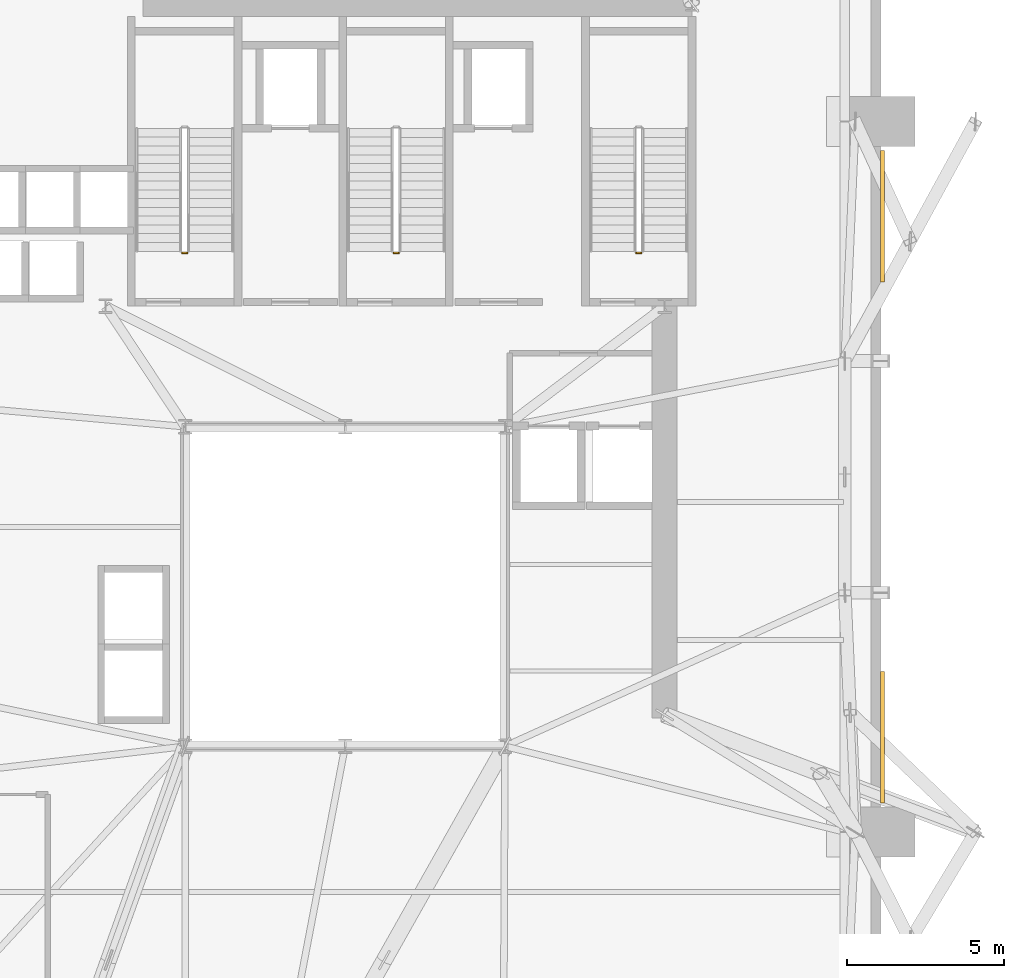
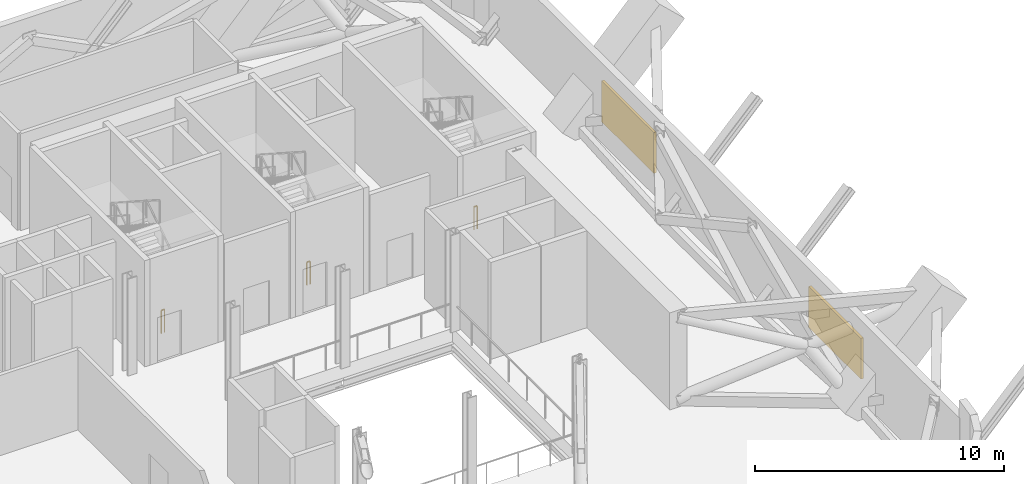
# One storey, part 11 of 12: 3 railings, 2 shading devices.
"""IFC4 building model written with IfcOpenShell, lengths in metres."""

from ifc_helpers import new_model, si_unit, direction, frame, origin, origin_2d, place, context, subcontext, project, spatial, rectangle, extrude, source, transform, mapped, material, layer, layer_set, type_object, element, save


model = new_model("IFC4")

# Units and contexts
model_context = context("Model", 3, precision=1e-05, world=origin(), true_north=direction((0.0, 1.0)))
body_context = subcontext(model_context, "Body", "Model", "MODEL_VIEW")
ifc_project = project(units=[si_unit("LENGTHUNIT", "METRE"), si_unit("AREAUNIT", "SQUARE_METRE"), si_unit("VOLUMEUNIT", "CUBIC_METRE"), si_unit("PLANEANGLEUNIT", "RADIAN"), si_unit("MASSUNIT", "GRAM", prefix="KILO")], contexts=[model_context])

# Site, building, storey
site_placement = place(None, origin())
site = spatial("IfcSite", under=ifc_project, at=site_placement, CompositionType="ELEMENT")
building_placement = place(site_placement, origin())
building = spatial("IfcBuilding", under=site, at=building_placement, Name="Vardaveli Station Tower", CompositionType="ELEMENT")
storey_placement = place(building_placement, frame((0.0, 0.0, 166.800048828125)))
storey = spatial("IfcBuildingStorey", under=building, at=storey_placement, Name="L43", CompositionType="ELEMENT", Elevation=166.800048828125)

# Shading devices
ifc_material_1 = material(Name="Anodised champagne aluminium acoustic louvre", Category="aluminium")
ifc_layer = layer(ifc_material_1, 0.1201171875, Name="Anodised champagne aluminium acoustic louvre")
ifc_layer_set = layer_set([ifc_layer], Name="Anodised champagne aluminium acoustic louvre")
shading_device_type = type_object("IfcShadingDeviceType", Name="SHD-LOUVRE-JAL", PredefinedType="JALOUSIE", material=ifc_layer_set)
shared_shape_1 = source(origin(), body_context, "Body", "SweptSolid", [
    extrude(rectangle(XDim=4.199951171875, YDim=0.1201171875, at=origin_2d()), origin(), (0.0, 0.0, 1.0), 2.0),
])
for number, where, z_axis, x_axis, name in (
    (1, (53.4541015625, 16.884033203125, 0.599853515625), (0.0, 0.0, 1.0), (0.0, 1.0, 0.0), "SHD-LV-L43-E1"),
    (2, (53.4541015625, 33.51611328125, 0.599853515625), (0.0, 0.0, 1.0), (0.0, 1.0, 0.0), "SHD-LV-L43-E2"),
):
    element("IfcShadingDevice", number, at=place(storey_placement, frame(where, z_axis=z_axis, x_axis=x_axis)), inside=storey, type_object=shading_device_type, Name=name, PredefinedType="JALOUSIE", context=body_context, shape_type="MappedRepresentation", body=[
        mapped(shared_shape_1, transform((0.0, 0.0, 0.0), scale=1.0)),
    ])

# Railings
ifc_material_2 = material(Name="Brushed AISI 316 stainless steel", Category="steel")
railing_type = type_object("IfcRailingType", Name="RL-GUARD-1150", PredefinedType="GUARDRAIL", material=ifc_material_2)
shared_shape_2 = source(origin(), body_context, "Body", "SweptSolid", [
    extrude(rectangle(XDim=0.048095703125, YDim=0.048095703125, at=origin_2d()), frame((0.0, 0.0, 1.1259765625), z_axis=(-1.0, 0.0, 0.0), x_axis=(0.0, -1.0, 0.0)), (0.0, 0.0, 1.0), 0.14990234375),
    extrude(rectangle(XDim=0.0419921875, YDim=0.0419921875, at=origin_2d()), origin(), (0.0, 0.0, 1.0), 1.101806640625),
    extrude(rectangle(XDim=0.0419921875, YDim=0.0419921875, at=origin_2d()), frame((-0.14990234375, 0.0, 0.0)), (0.0, 0.0, 1.0), 1.101806640625),
])
for number, where, name in (
    (3, (31.25, 32.35009765625, 0.0), "L43 ST-1 stair guard 4"),
    (4, (38.0, 32.35009765625, 0.0), "L43 ST-2 stair guard 4"),
    (5, (45.75, 32.35009765625, 0.0), "L43 ST-3 stair guard 4"),
):
    element("IfcRailing", number, at=place(storey_placement, frame(where)), inside=storey, type_object=railing_type, Name=name, PredefinedType="GUARDRAIL", context=body_context, shape_type="MappedRepresentation", body=[
        mapped(shared_shape_2, transform((0.0, 0.0, 0.0), scale=1.0)),
    ])

save(model, "model.ifc")
